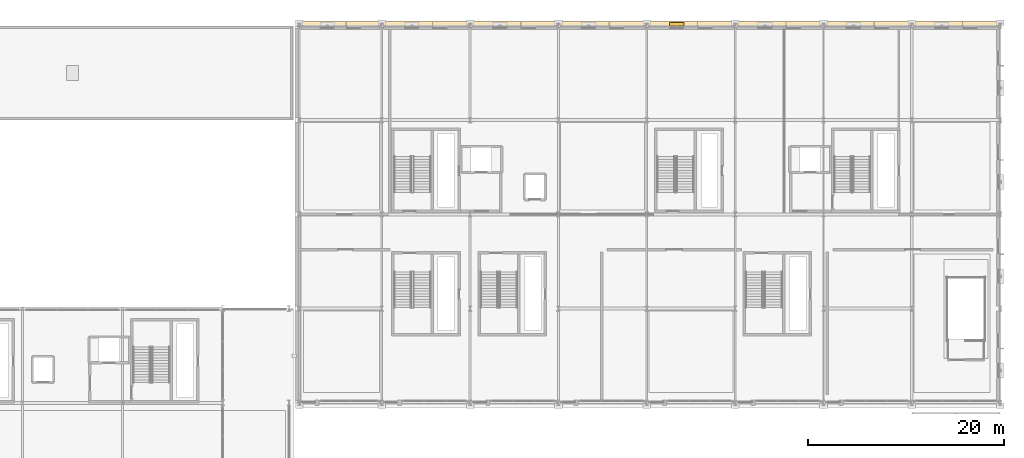
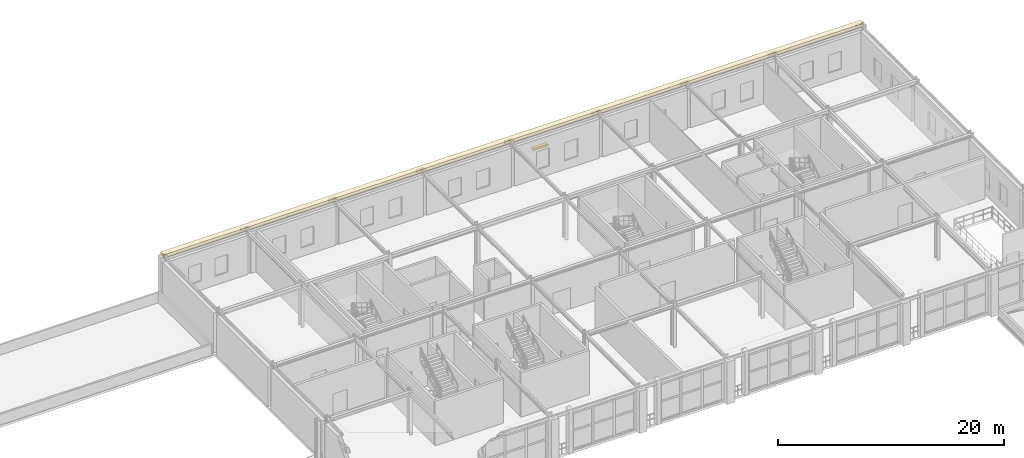
# One storey, part 122 of 125: 1 covering, 1 shading device.
"""IFC4 building model written with IfcOpenShell, lengths in metres."""

import ifcopenshell
import ifcopenshell.guid

model = None  # the IFC model being written
_history = None  # IfcOwnerHistory: only IFC2X3 demands one
_inside = {}  # id of a spatial element -> (the spatial element, [elements in it])
_under = {}  # id of a project, library or spatial element -> (it, [spatial elements below it])
_declared = {}  # id of a project -> (the project, [libraries it declares])
_typed = {}  # id of a type object -> (the type object, [elements of that type])
_made_of = {}  # id of a material, layer set ... -> (it, [elements and type objects made of it])


def new_model(schema):
    """Start an empty IFC model of exactly this schema.

    Asked for "IFC4X3", IfcOpenShell would pick the latest addendum, in which some entities
    have other attributes; the version numbers below select the first issue.
    IFC2X3 requires an IfcOwnerHistory on every rooted entity: one is made here for all.
    """
    global model, _history
    if schema == "IFC4X3":
        model = ifcopenshell.file(schema_version=(4, 3, 0, 0))
    else:
        model = ifcopenshell.file(schema=schema)
    _inside.clear()
    _under.clear()
    _declared.clear()
    _typed.clear()
    _made_of.clear()
    _history = None
    if model.schema == "IFC2X3":
        org = make("IfcOrganization", Name="unknown")
        user = make(
            "IfcPersonAndOrganization",
            ThePerson=make("IfcPerson", FamilyName="unknown"),
            TheOrganization=org,
        )
        app = make(
            "IfcApplication",
            ApplicationDeveloper=org,
            Version="unknown",
            ApplicationFullName="unknown",
            ApplicationIdentifier="unknown",
        )
        _history = make(
            "IfcOwnerHistory",
            OwningUser=user,
            OwningApplication=app,
            ChangeAction="ADDED",
            CreationDate=0,
        )
    return model


def make(cls, **values):
    """One entity of the class cls with the attributes given. An attribute that is None is left unset."""
    return model.create_entity(
        cls, **{name: value for name, value in values.items() if value is not None}
    )


def rooted(cls, **values):
    """An entity with a GlobalId (a new one), such as an element, a storey or a relation."""
    return make(cls, GlobalId=ifcopenshell.guid.new(), OwnerHistory=_history, **values)


def si_unit(unit_type, name, prefix=None):
    """IfcSIUnit, for example si_unit("LENGTHUNIT", "METRE", prefix="MILLI")."""
    return make("IfcSIUnit", UnitType=unit_type, Prefix=prefix, Name=name)


def assignment(units):
    """IfcUnitAssignment: the units of a project."""
    return None if units is None else make("IfcUnitAssignment", Units=units)


def point(xyz):
    """IfcCartesianPoint."""
    return None if xyz is None else make("IfcCartesianPoint", Coordinates=xyz)


def direction(xyz):
    """IfcDirection."""
    return None if xyz is None else make("IfcDirection", DirectionRatios=xyz)


def frame(location, z_axis=None, x_axis=None):
    """IfcAxis2Placement3D, a coordinate frame: its origin and axes. An axis left out is left unset."""
    return make(
        "IfcAxis2Placement3D",
        Location=point(location),
        Axis=direction(z_axis),
        RefDirection=direction(x_axis),
    )


def frame_2d(location, x_axis=None):
    """IfcAxis2Placement2D, a coordinate frame in the plane: its origin and x axis."""
    return make(
        "IfcAxis2Placement2D", Location=point(location), RefDirection=direction(x_axis)
    )


def origin():
    """The frame at (0, 0, 0) with its axes left unset."""
    return frame((0.0, 0.0, 0.0))


def origin_2d():
    """The frame at (0, 0) in the plane with its x axis left unset."""
    return frame_2d((0.0, 0.0))


def place(relative_to, where):
    """IfcLocalPlacement: puts the frame where relative to a parent placement (None: the world)."""
    return make(
        "IfcLocalPlacement", PlacementRelTo=relative_to, RelativePlacement=where
    )


def context(
    kind, dimensions, precision=None, world=None, true_north=None, identifier=None
):
    """IfcGeometricRepresentationContext, for example the 3D "Model" context."""
    return make(
        "IfcGeometricRepresentationContext",
        ContextIdentifier=identifier,
        ContextType=kind,
        CoordinateSpaceDimension=dimensions,
        Precision=precision,
        WorldCoordinateSystem=world,
        TrueNorth=true_north,
    )


def subcontext(parent, identifier, kind, view, scale=None):
    """IfcGeometricRepresentationSubContext, for example "Body" below "Model"."""
    return make(
        "IfcGeometricRepresentationSubContext",
        ContextIdentifier=identifier,
        ContextType=kind,
        ParentContext=parent,
        TargetScale=scale,
        TargetView=view,
    )


def project(units=None, contexts=None):
    """IfcProject with its units and contexts."""
    return rooted(
        "IfcProject",
        Name="project",
        RepresentationContexts=contexts,
        UnitsInContext=assignment(units),
    )


def spatial(cls, under=None, at=None, **own):
    """A site, building, storey or space (cls), placed at a placement, below another one or the project."""
    s = rooted(cls, ObjectPlacement=at, **own)
    if under is not None:
        _under.setdefault(under.id(), (under, []))[1].append(s)
    return s


def profile(cls, at=None, kind="AREA", **sizes):
    """A parametric profile (cls). Its sizes go by their IFC names, for example OverallWidth=200.0."""
    return make(cls, ProfileType=kind, Position=at, **sizes)


def rectangle(**sizes):
    """IfcRectangleProfileDef."""
    return profile("IfcRectangleProfileDef", **sizes)


def extrude(swept, where, along, depth):
    """IfcExtrudedAreaSolid: the profile swept, set in the frame where, extruded along a direction by depth."""
    return make(
        "IfcExtrudedAreaSolid",
        SweptArea=swept,
        Position=where,
        ExtrudedDirection=direction(along),
        Depth=depth,
    )


def shape(context_of_items, identifier, shape_type, items):
    """IfcShapeRepresentation: the items that make up one representation, for example the "Body"."""
    return make(
        "IfcShapeRepresentation",
        ContextOfItems=context_of_items,
        RepresentationIdentifier=identifier,
        RepresentationType=shape_type,
        Items=items,
    )


def material(Name=None, Category=None):
    """IfcMaterial."""
    return make("IfcMaterial", Name=Name, Category=Category)


def layer(
    of_material, thickness, ventilated=None, Name=None, Category=None, Priority=None
):
    """IfcMaterialLayer: one layer of a wall or slab, of a material (None: an air gap)."""
    return make(
        "IfcMaterialLayer",
        Material=of_material,
        LayerThickness=thickness,
        IsVentilated=ventilated,
        Name=Name,
        Category=Category,
        Priority=Priority,
    )


def layer_set(layers, Name=None):
    """IfcMaterialLayerSet."""
    return make("IfcMaterialLayerSet", MaterialLayers=layers, LayerSetName=Name)


def made_of(thing, what):
    """Note that an element or type object is made of a material, layer set ...; save() writes the relation."""
    if what is not None:
        _made_of.setdefault(what.id(), (what, []))[1].append(thing)
    return thing


def type_object(cls, material=None, **own):
    """A type object (cls), such as IfcWallType, which elements share."""
    return made_of(rooted(cls, **own), material)


def element(
    cls,
    number,
    at=None,
    inside=None,
    cuts=None,
    type_object=None,
    material=None,
    context=None,
    identifier="Body",
    shape_type=None,
    held_by="IfcProductDefinitionShape",
    body=None,
    shapes=None,
    **own,
):
    """One element of the class cls, such as IfcWall. Its Tag is "e" and its number.

    at: its placement. inside: the storey or other place that contains it. cuts: it is an
    opening in that element (IfcRelVoidsElement). A single representation is given by context,
    identifier, shape_type and body (its items); several are given by shapes. held_by: the class
    of the entity that holds the representations. save() writes the other relations.
    """
    e = rooted(cls, Tag="e%d" % number, ObjectPlacement=at, **own)
    if body is not None:
        shapes = [shape(context, identifier, shape_type, body)]
    if shapes is not None:
        e.Representation = make(held_by, Representations=shapes)
    if inside is not None:
        _inside.setdefault(inside.id(), (inside, []))[1].append(e)
    if cuts is not None:
        rooted(
            "IfcRelVoidsElement", RelatingBuildingElement=cuts, RelatedOpeningElement=e
        )
    if type_object is not None:
        _typed.setdefault(type_object.id(), (type_object, []))[1].append(e)
    return made_of(e, material)


def aggregate(whole, parts):
    """IfcRelAggregates: a whole, such as a stair, and the parts it consists of."""
    return rooted("IfcRelAggregates", RelatingObject=whole, RelatedObjects=parts)


def save(model, path):
    """Write the relations noted so far, then the file.

    IfcRelAggregates (storeys below a building ...), IfcRelContainedInSpatialStructure (elements
    in a storey), IfcRelDefinesByType, IfcRelAssociatesMaterial and IfcRelDeclares: one each for
    every whole, place, type object, material and project.
    """
    for whole, parts in _under.values():
        aggregate(whole, parts)
    for where, things in _inside.values():
        rooted(
            "IfcRelContainedInSpatialStructure",
            RelatedElements=things,
            RelatingStructure=where,
        )
    for kind, things in _typed.values():
        rooted("IfcRelDefinesByType", RelatedObjects=things, RelatingType=kind)
    for what, things in _made_of.values():
        rooted("IfcRelAssociatesMaterial", RelatedObjects=things, RelatingMaterial=what)
    for by, libraries in _declared.values():
        rooted("IfcRelDeclares", RelatingContext=by, RelatedDefinitions=libraries)
    model.write(path)


model = new_model("IFC4")

# Units and contexts
model_context = context("Model", 3, precision=1e-05, world=origin(), true_north=direction((0.0, 1.0)))
body_context = subcontext(model_context, "Body", "Model", "MODEL_VIEW")
ifc_project = project(units=[si_unit("LENGTHUNIT", "METRE"), si_unit("AREAUNIT", "SQUARE_METRE"), si_unit("VOLUMEUNIT", "CUBIC_METRE"), si_unit("PLANEANGLEUNIT", "RADIAN"), si_unit("MASSUNIT", "GRAM", prefix="KILO")], contexts=[model_context])

# Site, building, storey
site_placement = place(None, origin())
site = spatial("IfcSite", under=ifc_project, at=site_placement, CompositionType="ELEMENT")
building_placement = place(site_placement, origin())
building = spatial("IfcBuilding", under=site, at=building_placement, Name="Myrtia Square Station", CompositionType="ELEMENT")
storey_placement = place(building_placement, frame((0.0, 0.0, 6.0)))
storey = spatial("IfcBuildingStorey", under=building, at=storey_placement, Name="L01", CompositionType="ELEMENT", Elevation=6.0)

# Covering
ifc_material_1 = material(Name="Pentelic marble ashlar", Category="masonry")
ifc_layer = layer(ifc_material_1, 0.47998046875, Name="Pentelic marble ashlar")
ifc_layer_set = layer_set([ifc_layer], Name="Pentelic marble ashlar")
covering_type = type_object("IfcCoveringType", Name="COV-CORNICE-ASHLAR", PredefinedType="MOLDING", material=ifc_layer_set)
covering_placement = place(storey_placement, frame((153.199951171875, 124.969970703125, 4.56005859375), z_axis=(0.0, 0.0, 1.0), x_axis=(1.0, 0.0, 0.0)))
element("IfcCovering", 1, at=covering_placement, inside=storey, type_object=covering_type, Name="Classical entablature cornice moulding 011", PredefinedType="MOLDING", context=body_context, shape_type="SweptSolid", body=[
    extrude(rectangle(XDim=71.60009765625, YDim=0.580078125, at=origin_2d()), origin(), (0.0, 0.0, 1.0), 0.360107421875),
])

# Shading device
ifc_material_2 = material(Name="Dark bronze anodised aluminium", Category="aluminium")
shading_device_type = type_object("IfcShadingDeviceType", Name="SHD-JALOUSIE-BRONZE", PredefinedType="JALOUSIE", material=ifc_material_2)
shading_device_placement = place(storey_placement, frame((156.052001953125, 124.949951171875, 2.83984375), z_axis=(0.0, 0.0, 1.0), x_axis=(1.0, 0.0, 0.0)))
element("IfcShadingDevice", 2, at=shading_device_placement, inside=storey, type_object=shading_device_type, Name="Mediterranean bronze solar louvre SHL-047", PredefinedType="JALOUSIE", context=body_context, shape_type="SweptSolid", body=[
    extrude(rectangle(XDim=1.510009765625, YDim=0.35009765625, at=origin_2d()), origin(), (0.0, 0.0, 1.0), 0.219970703125),
])

save(model, "model.ifc")
